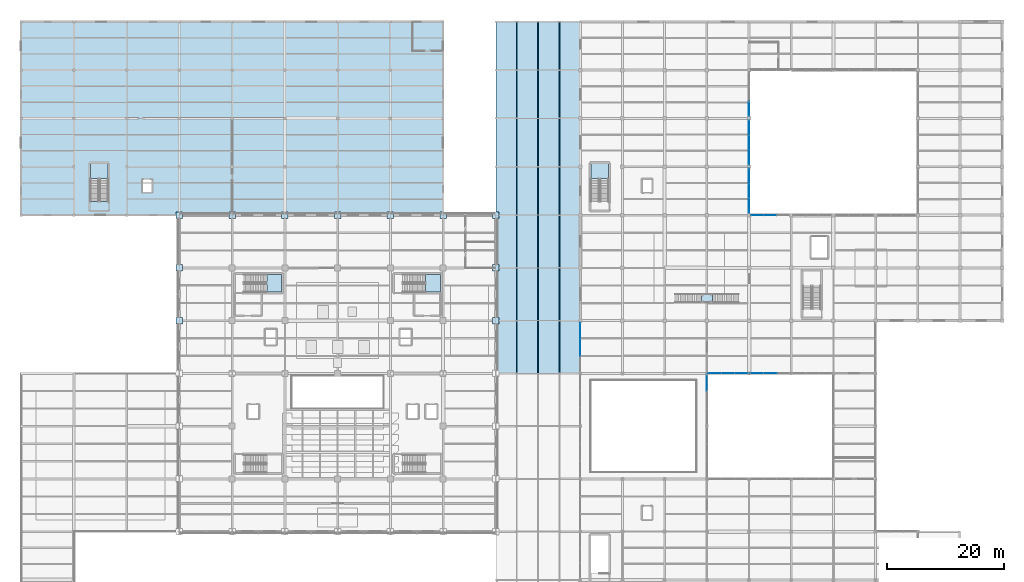
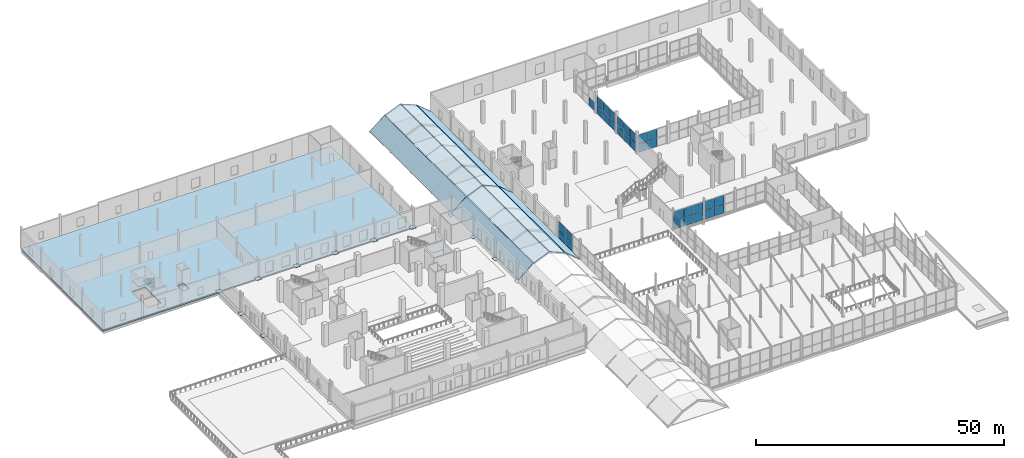
# One storey, part 102 of 141: 43 plates, 14 slabs, 13 elements without a shape of their own.
"""IFC4 building model written with IfcOpenShell, lengths in metres."""

from ifc_helpers import new_model, si_unit, direction, frame, origin, origin_2d, place, context, subcontext, project, spatial, polyline, rectangle, outline, extrude, material, layer, layer_set, type_object, element, aggregate, save


model = new_model("IFC4")

# Units and contexts
model_context = context("Model", 3, precision=1e-05, world=origin(), true_north=direction((0.0, 1.0)))
body_context = subcontext(model_context, "Body", "Model", "MODEL_VIEW")
ifc_project = project(units=[si_unit("LENGTHUNIT", "METRE"), si_unit("AREAUNIT", "SQUARE_METRE"), si_unit("VOLUMEUNIT", "CUBIC_METRE"), si_unit("PLANEANGLEUNIT", "RADIAN"), si_unit("MASSUNIT", "GRAM", prefix="KILO")], contexts=[model_context])

# Site, building, storey
site_placement = place(None, origin())
site = spatial("IfcSite", under=ifc_project, at=site_placement, CompositionType="ELEMENT")
building_placement = place(site_placement, origin())
building = spatial("IfcBuilding", under=site, at=building_placement, Name="Sundgate Opera House", CompositionType="ELEMENT")
storey_placement = place(building_placement, frame((0.0, 0.0, 11.39990234375)))
storey = spatial("IfcBuildingStorey", under=building, at=storey_placement, Name="L02", CompositionType="ELEMENT", Elevation=11.39990234375)

# Curtain wall, plates
ifc_material_1 = material(Name="Anodized aluminium and low-iron glass", Category="aluminium")
ifc_layer_1 = layer(ifc_material_1, 0.159912109375)
ifc_layer_set_1 = layer_set([ifc_layer_1], Name="Anodized aluminium and low-iron glass")
curtain_wall_type = type_object("IfcCurtainWallType", Name="CW-STUDIO-DARK", PredefinedType="NOTDEFINED", material=ifc_layer_set_1)
curtain_wall_1_placement = place(storey_placement, origin())
curtain_wall_1 = element("IfcCurtainWall", 1, at=curtain_wall_1_placement, inside=storey, type_object=curtain_wall_type, Name="L02 Curtain Wall CW108", PredefinedType="NOTDEFINED")
ifc_material_2 = material(Name="Low-iron triple acoustic glazing", Category="glass")
ifc_layer_2 = layer(ifc_material_2, 0.035888671875)
ifc_layer_set_2 = layer_set([ifc_layer_2], Name="Low-iron triple acoustic glazing")
plate_type_1 = type_object("IfcPlateType", Name="CWP-CLEAR-36", PredefinedType="CURTAIN_PANEL", material=ifc_layer_set_2)
plate_1_placement = place(storey_placement, frame((125.63330078125, 87.0, 0.02001953125), z_axis=(0.0, 0.0, 1.0), x_axis=(1.0, 0.0, 0.0)))
plate_1 = element("IfcPlate", 2, at=plate_1_placement, type_object=plate_type_1, Name="CW108 Panel 1", PredefinedType="CURTAIN_PANEL", context=body_context, shape_type="SweptSolid", body=[
    extrude(rectangle(XDim=2.126708984375, YDim=0.035888671875, at=origin_2d()), origin(), (0.0, 0.0, 1.0), 2.110107421875),
])
plate_2_placement = place(storey_placement, frame((125.63330078125, 87.0, 2.169921875), z_axis=(0.0, 0.0, 1.0), x_axis=(1.0, 0.0, 0.0)))
plate_2 = element("IfcPlate", 3, at=plate_2_placement, type_object=plate_type_1, Name="CW108 Panel 2", PredefinedType="CURTAIN_PANEL", context=body_context, shape_type="SweptSolid", body=[
    extrude(rectangle(XDim=2.126708984375, YDim=0.035888671875, at=origin_2d()), origin(), (0.0, 0.0, 1.0), 2.195068359375),
])
plate_3_placement = place(storey_placement, frame((127.800048828125, 87.0, 0.02001953125), z_axis=(0.0, 0.0, 1.0), x_axis=(1.0, 0.0, 0.0)))
plate_3 = element("IfcPlate", 4, at=plate_3_placement, type_object=plate_type_1, Name="CW108 Panel 3", PredefinedType="CURTAIN_PANEL", context=body_context, shape_type="SweptSolid", body=[
    extrude(rectangle(XDim=2.126708984375, YDim=0.035888671875, at=origin_2d()), origin(), (0.0, 0.0, 1.0), 2.110107421875),
])
plate_4_placement = place(storey_placement, frame((127.800048828125, 87.0, 2.169921875), z_axis=(0.0, 0.0, 1.0), x_axis=(1.0, 0.0, 0.0)))
plate_4 = element("IfcPlate", 5, at=plate_4_placement, type_object=plate_type_1, Name="CW108 Panel 4", PredefinedType="CURTAIN_PANEL", context=body_context, shape_type="SweptSolid", body=[
    extrude(rectangle(XDim=2.126708984375, YDim=0.035888671875, at=origin_2d()), origin(), (0.0, 0.0, 1.0), 2.195068359375),
])
aggregate(curtain_wall_1, [plate_1, plate_2, plate_3, plate_4])

curtain_wall_2_placement = place(storey_placement, origin())
curtain_wall_2 = element("IfcCurtainWall", 6, at=curtain_wall_2_placement, inside=storey, type_object=curtain_wall_type, Name="L02 Curtain Wall CW116", PredefinedType="NOTDEFINED")
plate_5_placement = place(storey_placement, frame((124.199951171875, 88.6083984375, 0.02001953125), z_axis=(0.0, 0.0, 1.0), x_axis=(0.0, 1.0, 0.0)))
plate_5 = element("IfcPlate", 7, at=plate_5_placement, type_object=plate_type_1, Name="CW116 Panel 1", PredefinedType="CURTAIN_PANEL", context=body_context, shape_type="SweptSolid", body=[
    extrude(rectangle(XDim=2.4765625, YDim=0.035888671875, at=origin_2d()), origin(), (0.0, 0.0, 1.0), 2.110107421875),
])
plate_6_placement = place(storey_placement, frame((124.199951171875, 88.6083984375, 2.169921875), z_axis=(0.0, 0.0, 1.0), x_axis=(0.0, 1.0, 0.0)))
plate_6 = element("IfcPlate", 8, at=plate_6_placement, type_object=plate_type_1, Name="CW116 Panel 2", PredefinedType="CURTAIN_PANEL", context=body_context, shape_type="SweptSolid", body=[
    extrude(rectangle(XDim=2.4765625, YDim=0.035888671875, at=origin_2d()), origin(), (0.0, 0.0, 1.0), 2.195068359375),
])
plate_7_placement = place(storey_placement, frame((124.199951171875, 91.125, 0.02001953125), z_axis=(0.0, 0.0, 1.0), x_axis=(0.0, 1.0, 0.0)))
plate_7 = element("IfcPlate", 9, at=plate_7_placement, type_object=plate_type_1, Name="CW116 Panel 3", PredefinedType="CURTAIN_PANEL", context=body_context, shape_type="SweptSolid", body=[
    extrude(rectangle(XDim=2.4765625, YDim=0.035888671875, at=origin_2d()), origin(), (0.0, 0.0, 1.0), 2.110107421875),
])
plate_8_placement = place(storey_placement, frame((124.199951171875, 91.125, 2.169921875), z_axis=(0.0, 0.0, 1.0), x_axis=(0.0, 1.0, 0.0)))
plate_8 = element("IfcPlate", 10, at=plate_8_placement, type_object=plate_type_1, Name="CW116 Panel 4", PredefinedType="CURTAIN_PANEL", context=body_context, shape_type="SweptSolid", body=[
    extrude(rectangle(XDim=2.4765625, YDim=0.035888671875, at=origin_2d()), origin(), (0.0, 0.0, 1.0), 2.195068359375),
])
plate_9_placement = place(storey_placement, frame((124.199951171875, 93.6416015625, 0.02001953125), z_axis=(0.0, 0.0, 1.0), x_axis=(0.0, 1.0, 0.0)))
plate_9 = element("IfcPlate", 11, at=plate_9_placement, type_object=plate_type_1, Name="CW116 Panel 5", PredefinedType="CURTAIN_PANEL", context=body_context, shape_type="SweptSolid", body=[
    extrude(rectangle(XDim=2.4765625, YDim=0.035888671875, at=origin_2d()), origin(), (0.0, 0.0, 1.0), 2.110107421875),
])
plate_10_placement = place(storey_placement, frame((124.199951171875, 93.6416015625, 2.169921875), z_axis=(0.0, 0.0, 1.0), x_axis=(0.0, 1.0, 0.0)))
plate_10 = element("IfcPlate", 12, at=plate_10_placement, type_object=plate_type_1, Name="CW116 Panel 6", PredefinedType="CURTAIN_PANEL", context=body_context, shape_type="SweptSolid", body=[
    extrude(rectangle(XDim=2.4765625, YDim=0.035888671875, at=origin_2d()), origin(), (0.0, 0.0, 1.0), 2.195068359375),
])
aggregate(curtain_wall_2, [plate_5, plate_6, plate_7, plate_8, plate_9, plate_10])

curtain_wall_3_placement = place(storey_placement, origin())
curtain_wall_3 = element("IfcCurtainWall", 13, at=curtain_wall_3_placement, inside=storey, type_object=curtain_wall_type, Name="L02 Curtain Wall CW118", PredefinedType="NOTDEFINED")
plate_11_placement = place(storey_placement, frame((124.199951171875, 96.8583984375, 0.02001953125), z_axis=(0.0, 0.0, 1.0), x_axis=(0.0, 1.0, 0.0)))
plate_11 = element("IfcPlate", 14, at=plate_11_placement, type_object=plate_type_1, Name="CW118 Panel 1", PredefinedType="CURTAIN_PANEL", context=body_context, shape_type="SweptSolid", body=[
    extrude(rectangle(XDim=2.4765625, YDim=0.035888671875, at=origin_2d()), origin(), (0.0, 0.0, 1.0), 2.110107421875),
])
plate_12_placement = place(storey_placement, frame((124.199951171875, 96.8583984375, 2.169921875), z_axis=(0.0, 0.0, 1.0), x_axis=(0.0, 1.0, 0.0)))
plate_12 = element("IfcPlate", 15, at=plate_12_placement, type_object=plate_type_1, Name="CW118 Panel 2", PredefinedType="CURTAIN_PANEL", context=body_context, shape_type="SweptSolid", body=[
    extrude(rectangle(XDim=2.4765625, YDim=0.035888671875, at=origin_2d()), origin(), (0.0, 0.0, 1.0), 2.195068359375),
])
plate_13_placement = place(storey_placement, frame((124.199951171875, 99.375, 0.02001953125), z_axis=(0.0, 0.0, 1.0), x_axis=(0.0, 1.0, 0.0)))
plate_13 = element("IfcPlate", 16, at=plate_13_placement, type_object=plate_type_1, Name="CW118 Panel 3", PredefinedType="CURTAIN_PANEL", context=body_context, shape_type="SweptSolid", body=[
    extrude(rectangle(XDim=2.4765625, YDim=0.035888671875, at=origin_2d()), origin(), (0.0, 0.0, 1.0), 2.110107421875),
])
plate_14_placement = place(storey_placement, frame((124.199951171875, 99.375, 2.169921875), z_axis=(0.0, 0.0, 1.0), x_axis=(0.0, 1.0, 0.0)))
plate_14 = element("IfcPlate", 17, at=plate_14_placement, type_object=plate_type_1, Name="CW118 Panel 4", PredefinedType="CURTAIN_PANEL", context=body_context, shape_type="SweptSolid", body=[
    extrude(rectangle(XDim=2.4765625, YDim=0.035888671875, at=origin_2d()), origin(), (0.0, 0.0, 1.0), 2.195068359375),
])
plate_15_placement = place(storey_placement, frame((124.199951171875, 101.8916015625, 0.02001953125), z_axis=(0.0, 0.0, 1.0), x_axis=(0.0, 1.0, 0.0)))
plate_15 = element("IfcPlate", 18, at=plate_15_placement, type_object=plate_type_1, Name="CW118 Panel 5", PredefinedType="CURTAIN_PANEL", context=body_context, shape_type="SweptSolid", body=[
    extrude(rectangle(XDim=2.4765625, YDim=0.035888671875, at=origin_2d()), origin(), (0.0, 0.0, 1.0), 2.110107421875),
])
plate_16_placement = place(storey_placement, frame((124.199951171875, 101.8916015625, 2.169921875), z_axis=(0.0, 0.0, 1.0), x_axis=(0.0, 1.0, 0.0)))
plate_16 = element("IfcPlate", 19, at=plate_16_placement, type_object=plate_type_1, Name="CW118 Panel 6", PredefinedType="CURTAIN_PANEL", context=body_context, shape_type="SweptSolid", body=[
    extrude(rectangle(XDim=2.4765625, YDim=0.035888671875, at=origin_2d()), origin(), (0.0, 0.0, 1.0), 2.195068359375),
])
aggregate(curtain_wall_3, [plate_11, plate_12, plate_13, plate_14, plate_15, plate_16])

# Curtain wall, plate
curtain_wall_4_placement = place(storey_placement, origin())
curtain_wall_4 = element("IfcCurtainWall", 20, at=curtain_wall_4_placement, inside=storey, type_object=curtain_wall_type, Name="L02 Curtain Wall CW120", PredefinedType="NOTDEFINED")
plate_17_placement = place(storey_placement, frame((124.199951171875, 105.1083984375, 0.02001953125), z_axis=(0.0, 0.0, 1.0), x_axis=(0.0, 1.0, 0.0)))
plate_17 = element("IfcPlate", 21, at=plate_17_placement, type_object=plate_type_1, Name="CW120 Panel 1", PredefinedType="CURTAIN_PANEL", context=body_context, shape_type="SweptSolid", body=[
    extrude(rectangle(XDim=2.4765625, YDim=0.035888671875, at=origin_2d()), origin(), (0.0, 0.0, 1.0), 2.110107421875),
])
aggregate(curtain_wall_4, [plate_17])

# Curtain wall, plates
curtain_wall_5_placement = place(storey_placement, origin())
curtain_wall_5 = element("IfcCurtainWall", 22, at=curtain_wall_5_placement, inside=storey, type_object=curtain_wall_type, Name="L02 Curtain Wall CW068", PredefinedType="NOTDEFINED")
ifc_material_3 = material(Name="Dark solar-control triple acoustic glazing", Category="glass")
ifc_layer_3 = layer(ifc_material_3, 0.031982421875)
ifc_layer_set_3 = layer_set([ifc_layer_3], Name="Dark solar-control triple acoustic glazing")
plate_type_2 = type_object("IfcPlateType", Name="CWP-DARK-32", PredefinedType="CURTAIN_PANEL", material=ifc_layer_set_3)
plate_18_placement = place(storey_placement, frame((95.39990234375, 67.245849609375, 0.02001953125), z_axis=(0.0, 0.0, 1.0), x_axis=(0.0, -1.0, 0.0)))
plate_18 = element("IfcPlate", 23, at=plate_18_placement, type_object=plate_type_2, Name="CW068 Panel 1", PredefinedType="CURTAIN_PANEL", context=body_context, shape_type="SweptSolid", body=[
    extrude(rectangle(XDim=2.768310546875, YDim=0.031982421875, at=origin_2d()), origin(), (0.0, 0.0, 1.0), 2.110107421875),
])
plate_19_placement = place(storey_placement, frame((95.39990234375, 67.245849609375, 2.169921875), z_axis=(0.0, 0.0, 1.0), x_axis=(0.0, -1.0, 0.0)))
plate_19 = element("IfcPlate", 24, at=plate_19_placement, type_object=plate_type_2, Name="CW068 Panel 2", PredefinedType="CURTAIN_PANEL", context=body_context, shape_type="SweptSolid", body=[
    extrude(rectangle(XDim=2.768310546875, YDim=0.031982421875, at=origin_2d()), origin(), (0.0, 0.0, 1.0), 2.264892578125),
])
plate_20_placement = place(storey_placement, frame((95.39990234375, 64.4375, 0.02001953125), z_axis=(0.0, 0.0, 1.0), x_axis=(0.0, -1.0, 0.0)))
plate_20 = element("IfcPlate", 25, at=plate_20_placement, type_object=plate_type_2, Name="CW068 Panel 3", PredefinedType="CURTAIN_PANEL", context=body_context, shape_type="SweptSolid", body=[
    extrude(rectangle(XDim=2.768310546875, YDim=0.031982421875, at=origin_2d()), origin(), (0.0, 0.0, 1.0), 2.110107421875),
])
plate_21_placement = place(storey_placement, frame((95.39990234375, 64.4375, 2.169921875), z_axis=(0.0, 0.0, 1.0), x_axis=(0.0, -1.0, 0.0)))
plate_21 = element("IfcPlate", 26, at=plate_21_placement, type_object=plate_type_2, Name="CW068 Panel 4", PredefinedType="CURTAIN_PANEL", context=body_context, shape_type="SweptSolid", body=[
    extrude(rectangle(XDim=2.768310546875, YDim=0.031982421875, at=origin_2d()), origin(), (0.0, 0.0, 1.0), 2.264892578125),
])
aggregate(curtain_wall_5, [plate_18, plate_19, plate_20, plate_21])

curtain_wall_6_placement = place(storey_placement, origin())
curtain_wall_6 = element("IfcCurtainWall", 27, at=curtain_wall_6_placement, inside=storey, type_object=curtain_wall_type, Name="L02 Curtain Wall CW071", PredefinedType="NOTDEFINED")
plate_22_placement = place(storey_placement, frame((122.85009765625, 60.0, 0.02001953125), z_axis=(0.0, 0.0, 1.0), x_axis=(-1.0, 0.0, 0.0)))
plate_22 = element("IfcPlate", 28, at=plate_22_placement, type_object=plate_type_2, Name="CW071 Panel 1", PredefinedType="CURTAIN_PANEL", context=body_context, shape_type="SweptSolid", body=[
    extrude(rectangle(XDim=2.2099609375, YDim=0.031982421875, at=origin_2d()), origin(), (0.0, 0.0, 1.0), 2.110107421875),
])
plate_23_placement = place(storey_placement, frame((122.85009765625, 60.0, 2.169921875), z_axis=(0.0, 0.0, 1.0), x_axis=(-1.0, 0.0, 0.0)))
plate_23 = element("IfcPlate", 29, at=plate_23_placement, type_object=plate_type_2, Name="CW071 Panel 2", PredefinedType="CURTAIN_PANEL", context=body_context, shape_type="SweptSolid", body=[
    extrude(rectangle(XDim=2.2099609375, YDim=0.031982421875, at=origin_2d()), origin(), (0.0, 0.0, 1.0), 2.215087890625),
])
plate_24_placement = place(storey_placement, frame((120.60009765625, 60.0, 0.02001953125), z_axis=(0.0, 0.0, 1.0), x_axis=(-1.0, 0.0, 0.0)))
plate_24 = element("IfcPlate", 30, at=plate_24_placement, type_object=plate_type_2, Name="CW071 Panel 3", PredefinedType="CURTAIN_PANEL", context=body_context, shape_type="SweptSolid", body=[
    extrude(rectangle(XDim=2.2099609375, YDim=0.031982421875, at=origin_2d()), origin(), (0.0, 0.0, 1.0), 2.110107421875),
])
plate_25_placement = place(storey_placement, frame((120.60009765625, 60.0, 2.169921875), z_axis=(0.0, 0.0, 1.0), x_axis=(-1.0, 0.0, 0.0)))
plate_25 = element("IfcPlate", 31, at=plate_25_placement, type_object=plate_type_2, Name="CW071 Panel 4", PredefinedType="CURTAIN_PANEL", context=body_context, shape_type="SweptSolid", body=[
    extrude(rectangle(XDim=2.2099609375, YDim=0.031982421875, at=origin_2d()), origin(), (0.0, 0.0, 1.0), 2.215087890625),
])
plate_26_placement = place(storey_placement, frame((118.35009765625, 60.0, 0.02001953125), z_axis=(0.0, 0.0, 1.0), x_axis=(-1.0, 0.0, 0.0)))
plate_26 = element("IfcPlate", 32, at=plate_26_placement, type_object=plate_type_2, Name="CW071 Panel 5", PredefinedType="CURTAIN_PANEL", context=body_context, shape_type="SweptSolid", body=[
    extrude(rectangle(XDim=2.2099609375, YDim=0.031982421875, at=origin_2d()), origin(), (0.0, 0.0, 1.0), 2.110107421875),
])
plate_27_placement = place(storey_placement, frame((118.35009765625, 60.0, 2.169921875), z_axis=(0.0, 0.0, 1.0), x_axis=(-1.0, 0.0, 0.0)))
plate_27 = element("IfcPlate", 33, at=plate_27_placement, type_object=plate_type_2, Name="CW071 Panel 6", PredefinedType="CURTAIN_PANEL", context=body_context, shape_type="SweptSolid", body=[
    extrude(rectangle(XDim=2.2099609375, YDim=0.031982421875, at=origin_2d()), origin(), (0.0, 0.0, 1.0), 2.215087890625),
])
aggregate(curtain_wall_6, [plate_22, plate_23, plate_24, plate_25, plate_26, plate_27])

curtain_wall_7_placement = place(storey_placement, origin())
curtain_wall_7 = element("IfcCurtainWall", 34, at=curtain_wall_7_placement, inside=storey, type_object=curtain_wall_type, Name="L02 Curtain Wall CW073", PredefinedType="NOTDEFINED")
plate_28_placement = place(storey_placement, frame((127.800048828125, 60.0, 0.02001953125), z_axis=(0.0, 0.0, 1.0), x_axis=(-1.0, 0.0, 0.0)))
plate_28 = element("IfcPlate", 35, at=plate_28_placement, type_object=plate_type_2, Name="CW073 Panel 3", PredefinedType="CURTAIN_PANEL", context=body_context, shape_type="SweptSolid", body=[
    extrude(rectangle(XDim=2.2099609375, YDim=0.031982421875, at=origin_2d()), origin(), (0.0, 0.0, 1.0), 2.110107421875),
])
plate_29_placement = place(storey_placement, frame((127.800048828125, 60.0, 2.169921875), z_axis=(0.0, 0.0, 1.0), x_axis=(-1.0, 0.0, 0.0)))
plate_29 = element("IfcPlate", 36, at=plate_29_placement, type_object=plate_type_2, Name="CW073 Panel 4", PredefinedType="CURTAIN_PANEL", context=body_context, shape_type="SweptSolid", body=[
    extrude(rectangle(XDim=2.2099609375, YDim=0.031982421875, at=origin_2d()), origin(), (0.0, 0.0, 1.0), 2.215087890625),
])
plate_30_placement = place(storey_placement, frame((125.550048828125, 60.0, 0.02001953125), z_axis=(0.0, 0.0, 1.0), x_axis=(-1.0, 0.0, 0.0)))
plate_30 = element("IfcPlate", 37, at=plate_30_placement, type_object=plate_type_2, Name="CW073 Panel 5", PredefinedType="CURTAIN_PANEL", context=body_context, shape_type="SweptSolid", body=[
    extrude(rectangle(XDim=2.2099609375, YDim=0.031982421875, at=origin_2d()), origin(), (0.0, 0.0, 1.0), 2.110107421875),
])
plate_31_placement = place(storey_placement, frame((125.550048828125, 60.0, 2.169921875), z_axis=(0.0, 0.0, 1.0), x_axis=(-1.0, 0.0, 0.0)))
plate_31 = element("IfcPlate", 38, at=plate_31_placement, type_object=plate_type_2, Name="CW073 Panel 6", PredefinedType="CURTAIN_PANEL", context=body_context, shape_type="SweptSolid", body=[
    extrude(rectangle(XDim=2.2099609375, YDim=0.031982421875, at=origin_2d()), origin(), (0.0, 0.0, 1.0), 2.215087890625),
])
aggregate(curtain_wall_7, [plate_28, plate_29, plate_30, plate_31])

# Curtain wall, plate
curtain_wall_8_placement = place(storey_placement, origin())
curtain_wall_8 = element("IfcCurtainWall", 39, at=curtain_wall_8_placement, inside=storey, type_object=curtain_wall_type, Name="L02 Curtain Wall CW078", PredefinedType="NOTDEFINED")
plate_32_placement = place(storey_placement, frame((117.0, 58.35009765625, 2.169921875), z_axis=(0.0, 0.0, 1.0), x_axis=(0.0, 1.0, 0.0)))
plate_32 = element("IfcPlate", 40, at=plate_32_placement, type_object=plate_type_2, Name="CW078 Panel 6", PredefinedType="CURTAIN_PANEL", context=body_context, shape_type="SweptSolid", body=[
    extrude(rectangle(XDim=2.81005859375, YDim=0.031982421875, at=origin_2d()), origin(), (0.0, 0.0, 1.0), 2.264892578125),
])
aggregate(curtain_wall_8, [plate_32])

# Plates
ifc_material_4 = material(Name="Steel S355J2", Category="steel")
ifc_layer_4 = layer(ifc_material_4, 0.02587890625)
ifc_layer_set_4 = layer_set([ifc_layer_4], Name="Steel S355J2")
plate_type_3 = type_object("IfcPlateType", Name="PT-BAS-26", PredefinedType="USERDEFINED", material=ifc_layer_set_4)
plate_33_placement = place(storey_placement, frame((36.0, 87.0, 0.000244140625), z_axis=(0.0, 0.0, 1.0), x_axis=(1.0, 0.0, 0.0)))
element("IfcPlate", 41, at=plate_33_placement, inside=storey, type_object=plate_type_3, Name="L02 Base Plate PT0054", ObjectType="BASE PLATE", PredefinedType="USERDEFINED", context=body_context, shape_type="SweptSolid", body=[
    extrude(rectangle(XDim=1.139892578125, YDim=1.139892578125, at=origin_2d()), origin(), (0.0, 0.0, 1.0), 0.02587890625),
])
ifc_material_5 = material(Name="Steel S355J2", Category="steel")
ifc_layer_5 = layer(ifc_material_5, 0.030029296875)
ifc_layer_set_5 = layer_set([ifc_layer_5], Name="Steel S355J2")
plate_type_4 = type_object("IfcPlateType", Name="PT-BAS-30", PredefinedType="USERDEFINED", material=ifc_layer_set_5)
plate_34_placement = place(storey_placement, frame((45.0, 87.0, 0.0), z_axis=(0.0, 0.0, 1.0), x_axis=(1.0, 0.0, 0.0)))
element("IfcPlate", 42, at=plate_34_placement, inside=storey, type_object=plate_type_4, Name="L02 Base Plate PT0072", ObjectType="BASE PLATE", PredefinedType="USERDEFINED", context=body_context, shape_type="SweptSolid", body=[
    extrude(rectangle(XDim=1.139892578125, YDim=1.139892578125, at=origin_2d()), origin(), (0.0, 0.0, 1.0), 0.030029296875),
])
ifc_material_6 = material(Name="Steel S355J2", Category="steel")
ifc_layer_6 = layer(ifc_material_6, 0.033935546875)
ifc_layer_set_6 = layer_set([ifc_layer_6], Name="Steel S355J2")
plate_type_5 = type_object("IfcPlateType", Name="PT-BAS-34", PredefinedType="USERDEFINED", material=ifc_layer_set_6)
plate_35_placement = place(storey_placement, frame((54.0, 87.0, 0.0), z_axis=(0.0, 0.0, 1.0), x_axis=(1.0, 0.0, 0.0)))
element("IfcPlate", 43, at=plate_35_placement, inside=storey, type_object=plate_type_5, Name="L02 Base Plate PT0088", ObjectType="BASE PLATE", PredefinedType="USERDEFINED", context=body_context, shape_type="SweptSolid", body=[
    extrude(rectangle(XDim=1.139892578125, YDim=1.139892578125, at=origin_2d()), origin(), (0.0, 0.0, 1.0), 0.033935546875),
])
ifc_material_7 = material(Name="Steel S355J2", Category="steel")
ifc_layer_7 = layer(ifc_material_7, 0.035888671875)
ifc_layer_set_7 = layer_set([ifc_layer_7], Name="Steel S355J2")
plate_type_6 = type_object("IfcPlateType", Name="PT-BAS-36", PredefinedType="USERDEFINED", material=ifc_layer_set_7)
for number, where, z_axis, x_axis, name in (
    (44, (63.0, 87.0, 0.0), (0.0, 0.0, 1.0), (1.0, 0.0, 0.0), "L02 Base Plate PT0107"),
    (45, (81.0, 69.0, 0.0), (0.0, 0.0, 1.0), (1.0, 0.0, 0.0), "L02 Base Plate PT0157"),
):
    element("IfcPlate", number, at=place(storey_placement, frame(where, z_axis=z_axis, x_axis=x_axis)), inside=storey, type_object=plate_type_6, Name=name, ObjectType="BASE PLATE", PredefinedType="USERDEFINED", context=body_context, shape_type="SweptSolid", body=[
        extrude(rectangle(XDim=1.139892578125, YDim=1.139892578125, at=origin_2d()), origin(), (0.0, 0.0, 1.0), 0.035888671875),
    ])
ifc_material_8 = material(Name="Steel S355J2", Category="steel")
ifc_layer_8 = layer(ifc_material_8, 0.0400390625)
ifc_layer_set_8 = layer_set([ifc_layer_8], Name="Steel S355J2")
plate_type_7 = type_object("IfcPlateType", Name="PT-BAS-40", PredefinedType="USERDEFINED", material=ifc_layer_set_8)
for number, where, z_axis, x_axis, name in (
    (46, (72.0, 87.0, 0.0), (0.0, 0.0, 1.0), (1.0, 0.0, 0.0), "L02 Base Plate PT0127"),
    (47, (81.0, 78.0, 0.0), (0.0, 0.0, 1.0), (1.0, 0.0, 0.0), "L02 Base Plate PT0162"),
):
    element("IfcPlate", number, at=place(storey_placement, frame(where, z_axis=z_axis, x_axis=x_axis)), inside=storey, type_object=plate_type_7, Name=name, ObjectType="BASE PLATE", PredefinedType="USERDEFINED", context=body_context, shape_type="SweptSolid", body=[
        extrude(rectangle(XDim=1.139892578125, YDim=1.139892578125, at=origin_2d()), origin(), (0.0, 0.0, 1.0), 0.0400390625),
    ])
ifc_material_9 = material(Name="Steel S355J2", Category="steel")
ifc_layer_9 = layer(ifc_material_9, 0.044921875)
ifc_layer_set_9 = layer_set([ifc_layer_9], Name="Steel S355J2")
plate_type_8 = type_object("IfcPlateType", Name="PT-BAS-45", PredefinedType="USERDEFINED", material=ifc_layer_set_9)
plate_36_placement = place(storey_placement, frame((81.0, 87.0, 0.000244140625), z_axis=(0.0, 0.0, 1.0), x_axis=(1.0, 0.0, 0.0)))
element("IfcPlate", 48, at=plate_36_placement, inside=storey, type_object=plate_type_8, Name="L02 Base Plate PT0167", ObjectType="BASE PLATE", PredefinedType="USERDEFINED", context=body_context, shape_type="SweptSolid", body=[
    extrude(rectangle(XDim=1.139892578125, YDim=1.139892578125, at=origin_2d()), origin(), (0.0, 0.0, 1.0), 0.044921875),
])
ifc_material_10 = material(Name="Steel S355J2", Category="steel")
ifc_layer_10 = layer(ifc_material_10, 0.055908203125)
ifc_layer_set_10 = layer_set([ifc_layer_10], Name="Steel S355J2")
plate_type_9 = type_object("IfcPlateType", Name="PT-BAS-56", PredefinedType="USERDEFINED", material=ifc_layer_set_10)
plate_37_placement = place(storey_placement, frame((27.0, 87.0, 0.0), z_axis=(0.0, 0.0, 1.0), x_axis=(1.0, 0.0, 0.0)))
element("IfcPlate", 49, at=plate_37_placement, inside=storey, type_object=plate_type_9, Name="L02 Base Plate PT0036", ObjectType="BASE PLATE", PredefinedType="USERDEFINED", context=body_context, shape_type="SweptSolid", body=[
    extrude(rectangle(XDim=1.139892578125, YDim=1.139892578125, at=origin_2d()), origin(), (0.0, 0.0, 1.0), 0.055908203125),
])
ifc_material_11 = material(Name="Steel S355J2", Category="steel")
ifc_layer_11 = layer(ifc_material_11, 0.06201171875)
ifc_layer_set_11 = layer_set([ifc_layer_11], Name="Steel S355J2")
plate_type_10 = type_object("IfcPlateType", Name="PT-BAS-62", PredefinedType="USERDEFINED", material=ifc_layer_set_11)
plate_38_placement = place(storey_placement, frame((27.0, 78.0, 0.0), z_axis=(0.0, 0.0, 1.0), x_axis=(1.0, 0.0, 0.0)))
element("IfcPlate", 50, at=plate_38_placement, inside=storey, type_object=plate_type_10, Name="L02 Base Plate PT0031", ObjectType="BASE PLATE", PredefinedType="USERDEFINED", context=body_context, shape_type="SweptSolid", body=[
    extrude(rectangle(XDim=1.139892578125, YDim=1.139892578125, at=origin_2d()), origin(), (0.0, 0.0, 1.0), 0.06201171875),
])
ifc_material_12 = material(Name="Steel S355J2", Category="steel")
ifc_layer_12 = layer(ifc_material_12, 0.068115234375)
ifc_layer_set_12 = layer_set([ifc_layer_12], Name="Steel S355J2")
plate_type_11 = type_object("IfcPlateType", Name="PT-BAS-68", PredefinedType="USERDEFINED", material=ifc_layer_set_12)
plate_39_placement = place(storey_placement, frame((27.0, 69.0, 0.0), z_axis=(0.0, 0.0, 1.0), x_axis=(1.0, 0.0, 0.0)))
element("IfcPlate", 51, at=plate_39_placement, inside=storey, type_object=plate_type_11, Name="L02 Base Plate PT0026", ObjectType="BASE PLATE", PredefinedType="USERDEFINED", context=body_context, shape_type="SweptSolid", body=[
    extrude(rectangle(XDim=1.139892578125, YDim=1.139892578125, at=origin_2d()), origin(), (0.0, 0.0, 1.0), 0.068115234375),
])

# Slab
ifc_material_13 = material(Name="Concrete C40/50", Category="concrete")
ifc_layer_13 = layer(ifc_material_13, 0.35009765625)
ifc_layer_set_13 = layer_set([ifc_layer_13], Name="Concrete C40/50")
slab_type_1 = type_object("IfcSlabType", Name="SL-FLR-350", PredefinedType="FLOOR", material=ifc_layer_set_13)
slab_1_placement = place(storey_placement, frame((0.0, 0.0, -0.349853515625)))
element("IfcSlab", 52, at=slab_1_placement, inside=storey, type_object=slab_type_1, Name="L02 Structural Floor Slab V6", PredefinedType="FLOOR", context=body_context, shape_type="SweptSolid", body=[
    extrude(outline(polyline([(0.0, 87.0), (72.0, 87.0), (72.0, 120.0), (0.0, 120.0), (0.0, 87.0)]), holes=[polyline([(11.800048828125, 95.800048828125), (14.85009765625, 95.800048828125), (14.85009765625, 89.35009765625), (11.800048828125, 89.35009765625), (11.800048828125, 95.800048828125)]), polyline([(20.719970703125, 93.080078125), (22.280029296875, 93.080078125), (22.280029296875, 90.919921875), (20.719970703125, 90.919921875), (20.719970703125, 93.080078125)])]), origin(), (0.0, 0.0, 1.0), 0.349853515625),
])

# Stair, slab
ifc_material_14 = material(Name="Concrete C35/45", Category="concrete")
stair_type_1 = type_object("IfcStairType", Name="ST-HT-30R-1450", PredefinedType="HALF_TURN_STAIR", material=ifc_material_14)
stair_1_placement = place(storey_placement, origin())
stair_1 = element("IfcStair", 53, at=stair_1_placement, inside=storey, type_object=stair_type_1, Name="L02 Escape Stair ST-02", PredefinedType="HALF_TURN_STAIR")
ifc_material_15 = material(Name="Concrete C35/45", Category="concrete")
ifc_layer_14 = layer(ifc_material_15, 0.199951171875)
ifc_layer_set_14 = layer_set([ifc_layer_14], Name="Concrete C35/45")
slab_type_2 = type_object("IfcSlabType", Name="SL-LAND-200", PredefinedType="LANDING", material=ifc_layer_set_14)
slab_2_placement = place(storey_placement, frame((0.0, 0.0, 2.5)))
slab_2 = element("IfcSlab", 54, at=slab_2_placement, type_object=slab_type_2, Name="ST02L02 Landing 1", PredefinedType="LANDING", context=body_context, shape_type="SweptSolid", body=[
    extrude(outline(polyline([(41.919921875, 73.85009765625), (44.449951171875, 73.85009765625), (44.449951171875, 76.89990234375), (41.919921875, 76.89990234375), (41.919921875, 73.85009765625)])), origin(), (0.0, 0.0, 1.0), 0.2001953125),
])
aggregate(stair_1, [slab_2])

stair_2_placement = place(storey_placement, origin())
stair_2 = element("IfcStair", 55, at=stair_2_placement, inside=storey, type_object=stair_type_1, Name="L02 Escape Stair ST-04", PredefinedType="HALF_TURN_STAIR")
slab_3_placement = place(storey_placement, frame((0.0, 0.0, 2.5)))
slab_3 = element("IfcSlab", 56, at=slab_3_placement, type_object=slab_type_2, Name="ST04L02 Landing 1", PredefinedType="LANDING", context=body_context, shape_type="SweptSolid", body=[
    extrude(outline(polyline([(69.02001953125, 73.85009765625), (71.550048828125, 73.85009765625), (71.550048828125, 76.89990234375), (69.02001953125, 76.89990234375), (69.02001953125, 73.85009765625)])), origin(), (0.0, 0.0, 1.0), 0.2001953125),
])
aggregate(stair_2, [slab_3])

stair_3_placement = place(storey_placement, origin())
stair_3 = element("IfcStair", 57, at=stair_3_placement, inside=storey, type_object=stair_type_1, Name="L02 Escape Stair ST-05", PredefinedType="HALF_TURN_STAIR")
slab_4_placement = place(storey_placement, frame((0.0, 0.0, 2.5)))
slab_4 = element("IfcSlab", 58, at=slab_4_placement, type_object=slab_type_2, Name="ST05L02 Landing 1", PredefinedType="LANDING", context=body_context, shape_type="SweptSolid", body=[
    extrude(outline(polyline([(100.25, 93.219970703125), (100.25, 95.800048828125), (97.199951171875, 95.800048828125), (97.199951171875, 93.219970703125), (100.25, 93.219970703125)])), origin(), (0.0, 0.0, 1.0), 0.2001953125),
])
aggregate(stair_3, [slab_4])

stair_4_placement = place(storey_placement, origin())
stair_4 = element("IfcStair", 59, at=stair_4_placement, inside=storey, type_object=stair_type_1, Name="L02 Escape Stair ST-08", PredefinedType="HALF_TURN_STAIR")
slab_5_placement = place(storey_placement, frame((0.0, 0.0, 2.5)))
slab_5 = element("IfcSlab", 60, at=slab_5_placement, type_object=slab_type_2, Name="ST08L02 Landing 1", PredefinedType="LANDING", context=body_context, shape_type="SweptSolid", body=[
    extrude(outline(polyline([(14.85009765625, 93.219970703125), (14.85009765625, 95.800048828125), (11.800048828125, 95.800048828125), (11.800048828125, 93.219970703125), (14.85009765625, 93.219970703125)])), origin(), (0.0, 0.0, 1.0), 0.2001953125),
])
aggregate(stair_4, [slab_5])

ifc_material_16 = material(Name="Concrete C35/45", Category="concrete")
stair_type_2 = type_object("IfcStairType", Name="ST-SR-32R-1500", PredefinedType="STRAIGHT_RUN_STAIR", material=ifc_material_16)
stair_5_placement = place(storey_placement, origin())
stair_5 = element("IfcStair", 61, at=stair_5_placement, inside=storey, type_object=stair_type_2, Name="Orchestra Observation Gallery Straight Stair", PredefinedType="STRAIGHT_RUN_STAIR")
ifc_material_17 = material(Name="Concrete C35/45", Category="concrete")
ifc_layer_15 = layer(ifc_material_17, 0.219970703125)
ifc_layer_set_15 = layer_set([ifc_layer_15], Name="Concrete C35/45")
slab_type_3 = type_object("IfcSlabType", Name="SL-LAND-220", PredefinedType="LANDING", material=ifc_layer_set_15)
slab_6_placement = place(storey_placement, frame((0.0, 0.0, 2.47998046875)))
slab_6 = element("IfcSlab", 62, at=slab_6_placement, type_object=slab_type_3, Name="Orchestra Observation Gallery Straight Stair Mid Landing", PredefinedType="LANDING", context=body_context, shape_type="SweptSolid", body=[
    extrude(outline(polyline([(116.070068359375, 72.050048828125), (117.9599609375, 72.050048828125), (117.9599609375, 73.550048828125), (116.070068359375, 73.550048828125), (116.070068359375, 72.050048828125)])), origin(), (0.0, 0.0, 1.0), 0.22021484375),
])
aggregate(stair_5, [slab_6])

# Slabs
ifc_material_18 = material(Name="Precast concrete C40/50", Category="concrete")
ifc_layer_16 = layer(ifc_material_18, 0.175048828125)
ifc_layer_set_16 = layer_set([ifc_layer_16], Name="Precast concrete C40/50")
slab_type_4 = type_object("IfcSlabType", Name="SL-ROOF-175", PredefinedType="ROOF", material=ifc_layer_set_16)
slab_7_placement = place(storey_placement, frame((81.050048828125, 60.0, 0.35009765625), z_axis=(-0.641745567159, 0.0, 0.76691761424), x_axis=(0.76691761424, 0.0, 0.641745567159)))
element("IfcSlab", 63, at=slab_7_placement, inside=storey, type_object=slab_type_4, Name="Passage Vaulted Roof Slab SR049", PredefinedType="ROOF", context=body_context, shape_type="SweptSolid", body=[
    extrude(outline(polyline([(0.0, 0.0), (4.472359973139843, 0.0), (4.472359973139843, 27.0), (0.0, 27.0), (0.0, 0.0)])), origin(), (0.0, 0.0, -1.0), 0.175048828125),
])
for number, where, z_axis, x_axis, name in (
    (64, (84.6201171875, 60.0, 3.239990234375), (-0.390465496965, 0.0, 0.920617562118), (0.920617562118, 0.0, 0.390465496965), "Passage Vaulted Roof Slab SR050"),
    (65, (88.2900390625, 60.0, 4.72021484375), (0.390465496965, 0.0, 0.920617562118), (0.920617562118, 0.0, -0.390465496965), "Passage Vaulted Roof Slab SR051"),
):
    element("IfcSlab", number, at=place(storey_placement, frame(where, z_axis=z_axis, x_axis=x_axis)), inside=storey, type_object=slab_type_4, Name=name, PredefinedType="ROOF", context=body_context, shape_type="SweptSolid", body=[
        extrude(outline(polyline([(0.0, 0.0), (3.7909229391049664, 0.0), (3.7909229391049664, 27.0), (0.0, 27.0), (0.0, 0.0)])), origin(), (0.0, 0.0, -1.0), 0.175048828125),
    ])
slab_8_placement = place(storey_placement, frame((91.919921875, 60.0, 3.22021484375), z_axis=(0.641718701155, 0.0, 0.766940094524), x_axis=(0.766940094524, 0.0, -0.641718701155)))
element("IfcSlab", 66, at=slab_8_placement, inside=storey, type_object=slab_type_4, Name="Passage Vaulted Roof Slab SR052", PredefinedType="ROOF", context=body_context, shape_type="SweptSolid", body=[
    extrude(outline(polyline([(0.0, 0.0), (4.47254721162974, 0.0), (4.47254721162974, 27.0), (0.0, 27.0), (0.0, 0.0)])), origin(), (0.0, 0.0, -1.0), 0.175048828125),
])
slab_9_placement = place(storey_placement, frame((81.050048828125, 87.0, 0.35009765625), z_axis=(-0.641745567159, 0.0, 0.76691761424), x_axis=(0.76691761424, 0.0, 0.641745567159)))
element("IfcSlab", 67, at=slab_9_placement, inside=storey, type_object=slab_type_4, Name="Passage Vaulted Roof Slab SR053", PredefinedType="ROOF", context=body_context, shape_type="SweptSolid", body=[
    extrude(outline(polyline([(0.0, 0.0), (4.472359973139843, 0.0), (4.472359973139843, 33.0), (0.0, 33.0), (0.0, 0.0)])), origin(), (0.0, 0.0, -1.0), 0.175048828125),
])
for number, where, z_axis, x_axis, name in (
    (68, (84.6201171875, 87.0, 3.239990234375), (-0.390465496965, 0.0, 0.920617562118), (0.920617562118, 0.0, 0.390465496965), "Passage Vaulted Roof Slab SR054"),
    (69, (88.2900390625, 87.0, 4.72021484375), (0.390465496965, 0.0, 0.920617562118), (0.920617562118, 0.0, -0.390465496965), "Passage Vaulted Roof Slab SR055"),
):
    element("IfcSlab", number, at=place(storey_placement, frame(where, z_axis=z_axis, x_axis=x_axis)), inside=storey, type_object=slab_type_4, Name=name, PredefinedType="ROOF", context=body_context, shape_type="SweptSolid", body=[
        extrude(outline(polyline([(0.0, 0.0), (3.7909229391049664, 0.0), (3.7909229391049664, 33.0), (0.0, 33.0), (0.0, 0.0)])), origin(), (0.0, 0.0, -1.0), 0.175048828125),
    ])
slab_10_placement = place(storey_placement, frame((91.919921875, 87.0, 3.22021484375), z_axis=(0.641718701155, 0.0, 0.766940094524), x_axis=(0.766940094524, 0.0, -0.641718701155)))
element("IfcSlab", 70, at=slab_10_placement, inside=storey, type_object=slab_type_4, Name="Passage Vaulted Roof Slab SR056", PredefinedType="ROOF", context=body_context, shape_type="SweptSolid", body=[
    extrude(outline(polyline([(0.0, 0.0), (4.47254721162974, 0.0), (4.47254721162974, 33.00000000000001), (0.0, 33.00000000000001), (0.0, 0.0)])), origin(), (0.0, 0.0, -1.0), 0.175048828125),
])

save(model, "model.ifc")
